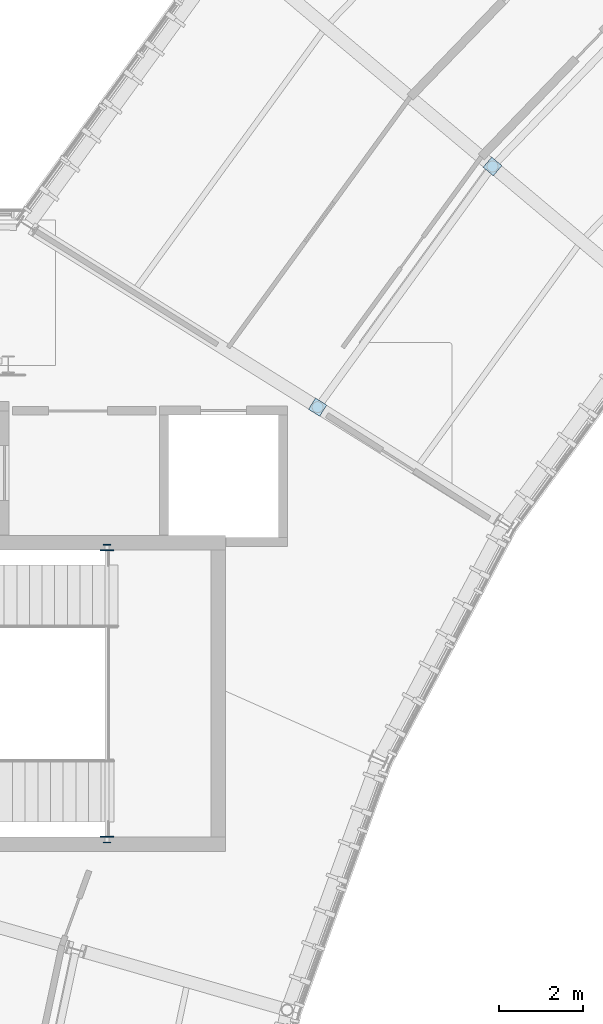
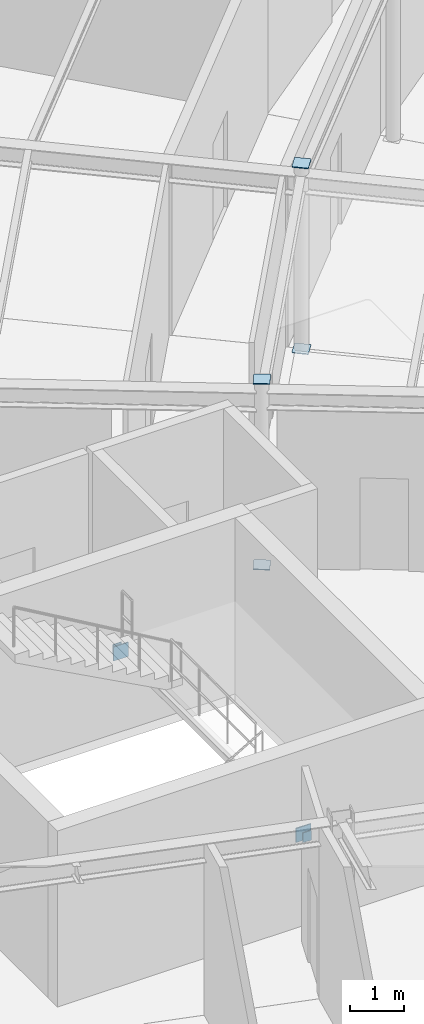
# One storey, part 33 of 52: 8 plates.
"""IFC4 building model written with IfcOpenShell, lengths in metres."""

import ifcopenshell
import ifcopenshell.guid

model = None  # the IFC model being written
_history = None  # IfcOwnerHistory: only IFC2X3 demands one
_inside = {}  # id of a spatial element -> (the spatial element, [elements in it])
_under = {}  # id of a project, library or spatial element -> (it, [spatial elements below it])
_declared = {}  # id of a project -> (the project, [libraries it declares])
_typed = {}  # id of a type object -> (the type object, [elements of that type])
_made_of = {}  # id of a material, layer set ... -> (it, [elements and type objects made of it])


def new_model(schema):
    """Start an empty IFC model of exactly this schema.

    Asked for "IFC4X3", IfcOpenShell would pick the latest addendum, in which some entities
    have other attributes; the version numbers below select the first issue.
    IFC2X3 requires an IfcOwnerHistory on every rooted entity: one is made here for all.
    """
    global model, _history
    if schema == "IFC4X3":
        model = ifcopenshell.file(schema_version=(4, 3, 0, 0))
    else:
        model = ifcopenshell.file(schema=schema)
    _inside.clear()
    _under.clear()
    _declared.clear()
    _typed.clear()
    _made_of.clear()
    _history = None
    if model.schema == "IFC2X3":
        org = make("IfcOrganization", Name="unknown")
        user = make(
            "IfcPersonAndOrganization",
            ThePerson=make("IfcPerson", FamilyName="unknown"),
            TheOrganization=org,
        )
        app = make(
            "IfcApplication",
            ApplicationDeveloper=org,
            Version="unknown",
            ApplicationFullName="unknown",
            ApplicationIdentifier="unknown",
        )
        _history = make(
            "IfcOwnerHistory",
            OwningUser=user,
            OwningApplication=app,
            ChangeAction="ADDED",
            CreationDate=0,
        )
    return model


def make(cls, **values):
    """One entity of the class cls with the attributes given. An attribute that is None is left unset."""
    return model.create_entity(
        cls, **{name: value for name, value in values.items() if value is not None}
    )


def rooted(cls, **values):
    """An entity with a GlobalId (a new one), such as an element, a storey or a relation."""
    return make(cls, GlobalId=ifcopenshell.guid.new(), OwnerHistory=_history, **values)


def si_unit(unit_type, name, prefix=None):
    """IfcSIUnit, for example si_unit("LENGTHUNIT", "METRE", prefix="MILLI")."""
    return make("IfcSIUnit", UnitType=unit_type, Prefix=prefix, Name=name)


def assignment(units):
    """IfcUnitAssignment: the units of a project."""
    return None if units is None else make("IfcUnitAssignment", Units=units)


def point(xyz):
    """IfcCartesianPoint."""
    return None if xyz is None else make("IfcCartesianPoint", Coordinates=xyz)


def direction(xyz):
    """IfcDirection."""
    return None if xyz is None else make("IfcDirection", DirectionRatios=xyz)


def frame(location, z_axis=None, x_axis=None):
    """IfcAxis2Placement3D, a coordinate frame: its origin and axes. An axis left out is left unset."""
    return make(
        "IfcAxis2Placement3D",
        Location=point(location),
        Axis=direction(z_axis),
        RefDirection=direction(x_axis),
    )


def frame_2d(location, x_axis=None):
    """IfcAxis2Placement2D, a coordinate frame in the plane: its origin and x axis."""
    return make(
        "IfcAxis2Placement2D", Location=point(location), RefDirection=direction(x_axis)
    )


def origin():
    """The frame at (0, 0, 0) with its axes left unset."""
    return frame((0.0, 0.0, 0.0))


def origin_2d():
    """The frame at (0, 0) in the plane with its x axis left unset."""
    return frame_2d((0.0, 0.0))


def place(relative_to, where):
    """IfcLocalPlacement: puts the frame where relative to a parent placement (None: the world)."""
    return make(
        "IfcLocalPlacement", PlacementRelTo=relative_to, RelativePlacement=where
    )


def context(
    kind, dimensions, precision=None, world=None, true_north=None, identifier=None
):
    """IfcGeometricRepresentationContext, for example the 3D "Model" context."""
    return make(
        "IfcGeometricRepresentationContext",
        ContextIdentifier=identifier,
        ContextType=kind,
        CoordinateSpaceDimension=dimensions,
        Precision=precision,
        WorldCoordinateSystem=world,
        TrueNorth=true_north,
    )


def subcontext(parent, identifier, kind, view, scale=None):
    """IfcGeometricRepresentationSubContext, for example "Body" below "Model"."""
    return make(
        "IfcGeometricRepresentationSubContext",
        ContextIdentifier=identifier,
        ContextType=kind,
        ParentContext=parent,
        TargetScale=scale,
        TargetView=view,
    )


def project(units=None, contexts=None):
    """IfcProject with its units and contexts."""
    return rooted(
        "IfcProject",
        Name="project",
        RepresentationContexts=contexts,
        UnitsInContext=assignment(units),
    )


def spatial(cls, under=None, at=None, **own):
    """A site, building, storey or space (cls), placed at a placement, below another one or the project."""
    s = rooted(cls, ObjectPlacement=at, **own)
    if under is not None:
        _under.setdefault(under.id(), (under, []))[1].append(s)
    return s


def profile(cls, at=None, kind="AREA", **sizes):
    """A parametric profile (cls). Its sizes go by their IFC names, for example OverallWidth=200.0."""
    return make(cls, ProfileType=kind, Position=at, **sizes)


def rectangle(**sizes):
    """IfcRectangleProfileDef."""
    return profile("IfcRectangleProfileDef", **sizes)


def extrude(swept, where, along, depth):
    """IfcExtrudedAreaSolid: the profile swept, set in the frame where, extruded along a direction by depth."""
    return make(
        "IfcExtrudedAreaSolid",
        SweptArea=swept,
        Position=where,
        ExtrudedDirection=direction(along),
        Depth=depth,
    )


def shape(context_of_items, identifier, shape_type, items):
    """IfcShapeRepresentation: the items that make up one representation, for example the "Body"."""
    return make(
        "IfcShapeRepresentation",
        ContextOfItems=context_of_items,
        RepresentationIdentifier=identifier,
        RepresentationType=shape_type,
        Items=items,
    )


def material(Name=None, Category=None):
    """IfcMaterial."""
    return make("IfcMaterial", Name=Name, Category=Category)


def layer(
    of_material, thickness, ventilated=None, Name=None, Category=None, Priority=None
):
    """IfcMaterialLayer: one layer of a wall or slab, of a material (None: an air gap)."""
    return make(
        "IfcMaterialLayer",
        Material=of_material,
        LayerThickness=thickness,
        IsVentilated=ventilated,
        Name=Name,
        Category=Category,
        Priority=Priority,
    )


def layer_set(layers, Name=None):
    """IfcMaterialLayerSet."""
    return make("IfcMaterialLayerSet", MaterialLayers=layers, LayerSetName=Name)


def made_of(thing, what):
    """Note that an element or type object is made of a material, layer set ...; save() writes the relation."""
    if what is not None:
        _made_of.setdefault(what.id(), (what, []))[1].append(thing)
    return thing


def type_object(cls, material=None, **own):
    """A type object (cls), such as IfcWallType, which elements share."""
    return made_of(rooted(cls, **own), material)


def element(
    cls,
    number,
    at=None,
    inside=None,
    cuts=None,
    type_object=None,
    material=None,
    context=None,
    identifier="Body",
    shape_type=None,
    held_by="IfcProductDefinitionShape",
    body=None,
    shapes=None,
    **own,
):
    """One element of the class cls, such as IfcWall. Its Tag is "e" and its number.

    at: its placement. inside: the storey or other place that contains it. cuts: it is an
    opening in that element (IfcRelVoidsElement). A single representation is given by context,
    identifier, shape_type and body (its items); several are given by shapes. held_by: the class
    of the entity that holds the representations. save() writes the other relations.
    """
    e = rooted(cls, Tag="e%d" % number, ObjectPlacement=at, **own)
    if body is not None:
        shapes = [shape(context, identifier, shape_type, body)]
    if shapes is not None:
        e.Representation = make(held_by, Representations=shapes)
    if inside is not None:
        _inside.setdefault(inside.id(), (inside, []))[1].append(e)
    if cuts is not None:
        rooted(
            "IfcRelVoidsElement", RelatingBuildingElement=cuts, RelatedOpeningElement=e
        )
    if type_object is not None:
        _typed.setdefault(type_object.id(), (type_object, []))[1].append(e)
    return made_of(e, material)


def aggregate(whole, parts):
    """IfcRelAggregates: a whole, such as a stair, and the parts it consists of."""
    return rooted("IfcRelAggregates", RelatingObject=whole, RelatedObjects=parts)


def save(model, path):
    """Write the relations noted so far, then the file.

    IfcRelAggregates (storeys below a building ...), IfcRelContainedInSpatialStructure (elements
    in a storey), IfcRelDefinesByType, IfcRelAssociatesMaterial and IfcRelDeclares: one each for
    every whole, place, type object, material and project.
    """
    for whole, parts in _under.values():
        aggregate(whole, parts)
    for where, things in _inside.values():
        rooted(
            "IfcRelContainedInSpatialStructure",
            RelatedElements=things,
            RelatingStructure=where,
        )
    for kind, things in _typed.values():
        rooted("IfcRelDefinesByType", RelatedObjects=things, RelatingType=kind)
    for what, things in _made_of.values():
        rooted("IfcRelAssociatesMaterial", RelatedObjects=things, RelatingMaterial=what)
    for by, libraries in _declared.values():
        rooted("IfcRelDeclares", RelatingContext=by, RelatedDefinitions=libraries)
    model.write(path)


model = new_model("IFC4")

# Units and contexts
model_context = context("Model", 3, precision=1e-05, world=origin(), true_north=direction((0.0, 1.0)))
body_context = subcontext(model_context, "Body", "Model", "MODEL_VIEW")
ifc_project = project(units=[si_unit("LENGTHUNIT", "METRE"), si_unit("AREAUNIT", "SQUARE_METRE"), si_unit("VOLUMEUNIT", "CUBIC_METRE"), si_unit("PLANEANGLEUNIT", "RADIAN"), si_unit("MASSUNIT", "GRAM", prefix="KILO"), si_unit("THERMODYNAMICTEMPERATUREUNIT", "KELVIN"), si_unit("POWERUNIT", "WATT")], contexts=[model_context])

# Site, building, storey
site_placement = place(None, origin())
site = spatial("IfcSite", under=ifc_project, at=site_placement, CompositionType="ELEMENT")
building_placement = place(site_placement, origin())
building = spatial("IfcBuilding", under=site, at=building_placement, Name="Solvatero Civic Police Headquarters", CompositionType="ELEMENT")
storey_placement = place(building_placement, frame((0.0, 0.0, 13.5)))
storey = spatial("IfcBuildingStorey", under=building, at=storey_placement, Name="L03", CompositionType="ELEMENT", Elevation=13.5)

# Plates
ifc_material = material(Name="Steel S355", Category="steel")
ifc_layer_1 = layer(ifc_material, 0.02001953125)
ifc_layer_set_1 = layer_set([ifc_layer_1], Name="Steel S355")
plate_type_1 = type_object("IfcPlateType", Name="PLT-CAP-20", PredefinedType="SHEET", material=ifc_layer_set_1)
for number, where, z_axis, x_axis, name in (
    (1, (55.276611328125, 58.492919921875, 4.199951171875), (0.0, 0.0, 1.0), (0.642787609687, 0.766044443119, 0.0), "Hollow Section End Cap Plate 0023"),
    (2, (55.276611328125, 58.492919921875, -0.02001953125), (0.0, 0.0, 1.0), (0.642787609687, 0.766044443119, 0.0), "Hollow Section End Cap Plate 0024"),
    (3, (51.131103515625, 52.787353515625, 4.199951171875), (0.0, 0.0, 1.0), (0.529919264233, 0.848048096156, 0.0), "Hollow Section End Cap Plate 0027"),
    (4, (51.131103515625, 52.787353515625, -0.02001953125), (0.0, 0.0, 1.0), (0.529919264233, 0.848048096156, 0.0), "Hollow Section End Cap Plate 0028"),
):
    element("IfcPlate", number, at=place(storey_placement, frame(where, z_axis=z_axis, x_axis=x_axis)), inside=storey, type_object=plate_type_1, Name=name, PredefinedType="SHEET", context=body_context, shape_type="SweptSolid", body=[
        extrude(rectangle(XDim=0.31298828125, YDim=0.31298828125, at=origin_2d()), origin(), (0.0, 0.0, 1.0), 0.02001953125),
    ])
for number, where, z_axis, x_axis, name in (
    (5, (46.139892578125, 42.469970703125, 1.71484375), (0.0, 0.0, 1.0), (1.0, 0.0, 0.0), "Hollow Section Cap Plate 0029"),
    (6, (46.139892578125, 49.530029296875, 1.71484375), (0.0, 0.0, 1.0), (1.0, 0.0, 0.0), "Hollow Section Cap Plate 0030"),
):
    element("IfcPlate", number, at=place(storey_placement, frame(where, z_axis=z_axis, x_axis=x_axis)), inside=storey, type_object=plate_type_1, Name=name, PredefinedType="SHEET", context=body_context, shape_type="SweptSolid", body=[
        extrude(rectangle(XDim=0.179931640625, YDim=0.02001953125, at=origin_2d()), origin(), (0.0, 0.0, 1.0), 0.219970703125),
    ])
ifc_layer_2 = layer(ifc_material, 0.02490234375)
ifc_layer_set_2 = layer_set([ifc_layer_2], Name="Steel S355")
plate_type_2 = type_object("IfcPlateType", Name="PLT-EMB-25", PredefinedType="SHEET", material=ifc_layer_set_2)
for number, where, z_axis, x_axis, name in (
    (7, (46.139892578125, 42.60009765625, 1.6650390625), (0.0, 0.0, 1.0), (1.0, 0.0, 0.0), "Cast-In Shear Wall Embed Plate 0029"),
    (8, (46.139892578125, 49.39990234375, 1.6650390625), (0.0, 0.0, 1.0), (1.0, 0.0, 0.0), "Cast-In Shear Wall Embed Plate 0030"),
):
    element("IfcPlate", number, at=place(storey_placement, frame(where, z_axis=z_axis, x_axis=x_axis)), inside=storey, type_object=plate_type_2, Name=name, PredefinedType="SHEET", context=body_context, shape_type="SweptSolid", body=[
        extrude(rectangle(XDim=0.320068359375, YDim=0.02490234375, at=origin_2d()), origin(), (0.0, 0.0, 1.0), 0.320068359375),
    ])

save(model, "model.ifc")
